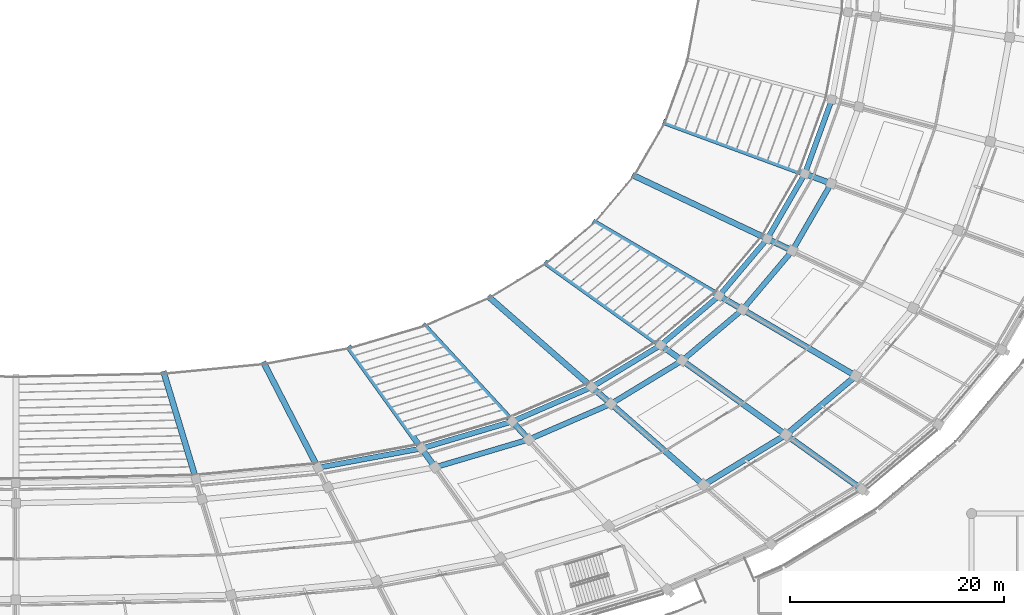
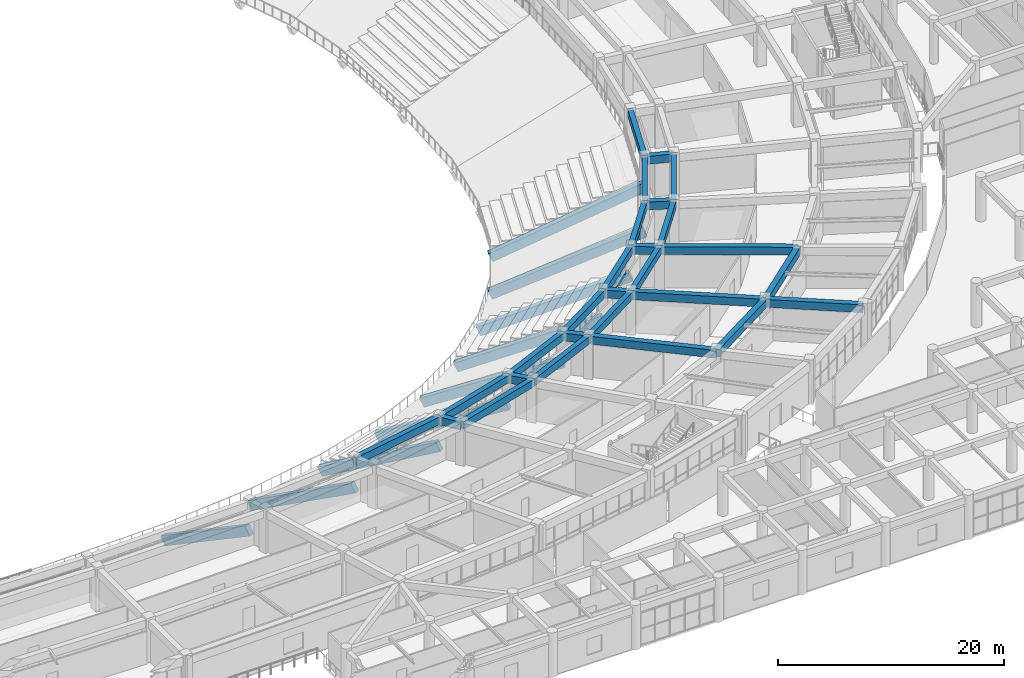
# One storey, part 40 of 152: 36 beams.
"""IFC4 building model written with IfcOpenShell, lengths in metres."""

from ifc_helpers import new_model, si_unit, direction, frame, origin, origin_2d, place, context, subcontext, project, spatial, rectangle, extrude, material, material_profile, profile_set, type_object, element, save


model = new_model("IFC4")

# Units and contexts
model_context = context("Model", 3, precision=1e-05, world=origin(), true_north=direction((0.0, 1.0)))
body_context = subcontext(model_context, "Body", "Model", "MODEL_VIEW")
ifc_project = project(units=[si_unit("LENGTHUNIT", "METRE"), si_unit("AREAUNIT", "SQUARE_METRE"), si_unit("VOLUMEUNIT", "CUBIC_METRE"), si_unit("PLANEANGLEUNIT", "RADIAN"), si_unit("MASSUNIT", "GRAM", prefix="KILO")], contexts=[model_context])

# Site, building, storey
site_placement = place(None, origin())
site = spatial("IfcSite", under=ifc_project, at=site_placement, CompositionType="ELEMENT")
building_placement = place(site_placement, origin())
building = spatial("IfcBuilding", under=site, at=building_placement, Name="Mphavela Belvedere Stadium", CompositionType="ELEMENT")
storey_placement = place(building_placement, frame((0.0, 0.0, 5.39990234375)))
storey = spatial("IfcBuildingStorey", under=building, at=storey_placement, Name="L01", CompositionType="ELEMENT", Elevation=5.39990234375)

# Beams
ifc_material_1 = material(Name="Precast concrete C45/55", Category="concrete")
ifc_material_profile_1 = material_profile(ifc_material_1, rectangle(XDim=0.550048828125, YDim=1.0, at=origin_2d()), Name="PC 550x1000")
ifc_profile_set_1 = profile_set([ifc_material_profile_1], Name="Precast concrete C45/55")
beam_type_1 = type_object("IfcBeamType", Name="BM-RAKER-LOWER", PredefinedType="USERDEFINED", material=ifc_profile_set_1)
beam_1_placement = place(storey_placement, frame((128.873779296875, 41.081298828125, -4.75), z_axis=(0.250007753773, -0.827460196511, 0.502797917899), x_axis=(0.957260966392, 0.289225590538, 0.0)))
element("IfcBeam", 1, at=beam_1_placement, inside=storey, type_object=beam_type_1, Name="Lower tier precast raker beam RK-L-38", ObjectType="RAKER BEAM", PredefinedType="USERDEFINED", context=body_context, shape_type="SweptSolid", body=[
    extrude(rectangle(XDim=0.550048828125, YDim=1.0, at=origin_2d()), origin(), (0.0, 0.0, 1.0), 11.93310546875),
])
beam_2_placement = place(storey_placement, frame((138.258056640625, 41.97607421875, -4.75), z_axis=(0.402030633593, -0.778292840439, 0.482319006648), x_axis=(0.888466560259, 0.458941359329, 0.0)))
element("IfcBeam", 2, at=beam_2_placement, inside=storey, type_object=beam_type_1, Name="Lower tier precast raker beam RK-L-39", ObjectType="RAKER BEAM", PredefinedType="USERDEFINED", context=body_context, shape_type="SweptSolid", body=[
    extrude(rectangle(XDim=0.550048828125, YDim=1.0, at=origin_2d()), origin(), (0.0, 0.0, 1.0), 12.43994140625),
])
beam_3_placement = place(storey_placement, frame((146.2431640625, 43.46337890625, -4.75), z_axis=(0.517134900081, -0.720613830932, 0.461830273789), x_axis=(0.81244596432, 0.583036495479, 0.0)))
element("IfcBeam", 3, at=beam_3_placement, inside=storey, type_object=beam_type_1, Name="Lower tier precast raker beam RK-L-40", ObjectType="RAKER BEAM", PredefinedType="USERDEFINED", context=body_context, shape_type="SweptSolid", body=[
    extrude(rectangle(XDim=0.550048828125, YDim=1.0, at=origin_2d()), origin(), (0.0, 0.0, 1.0), 12.99169921875),
])
beam_4_placement = place(storey_placement, frame((153.229736328125, 45.537109375, -4.75), z_axis=(0.607566883797, -0.65895529212, 0.443441545979), x_axis=(0.735192313072, 0.677858586138, 0.0)))
element("IfcBeam", 4, at=beam_4_placement, inside=storey, type_object=beam_type_1, Name="Lower tier precast raker beam RK-L-41", ObjectType="RAKER BEAM", PredefinedType="USERDEFINED", context=body_context, shape_type="SweptSolid", body=[
    extrude(rectangle(XDim=0.550048828125, YDim=1.0, at=origin_2d()), origin(), (0.0, 0.0, 1.0), 13.530517578125),
])
beam_5_placement = place(storey_placement, frame((159.351806640625, 48.19091796875, -4.75), z_axis=(0.680192771022, -0.595170851122, 0.427912902615), x_axis=(0.65850597174, 0.752575501317, 0.0)))
element("IfcBeam", 5, at=beam_5_placement, inside=storey, type_object=beam_type_1, Name="Lower tier precast raker beam RK-L-42", ObjectType="RAKER BEAM", PredefinedType="USERDEFINED", context=body_context, shape_type="SweptSolid", body=[
    extrude(rectangle(XDim=0.550048828125, YDim=1.0, at=origin_2d()), origin(), (0.0, 0.0, 1.0), 14.021484375),
])
beam_6_placement = place(storey_placement, frame((164.658935546875, 51.419677734375, -4.75), z_axis=(0.739407193346, -0.529785363915, 0.415456941944), x_axis=(0.582429509779, 0.812881212809, 0.0)))
element("IfcBeam", 6, at=beam_6_placement, inside=storey, type_object=beam_type_1, Name="Lower tier precast raker beam RK-L-43", ObjectType="RAKER BEAM", PredefinedType="USERDEFINED", context=body_context, shape_type="SweptSolid", body=[
    extrude(rectangle(XDim=0.550048828125, YDim=1.0, at=origin_2d()), origin(), (0.0, 0.0, 1.0), 14.44189453125),
])
beam_7_placement = place(storey_placement, frame((169.1650390625, 55.22216796875, -4.75), z_axis=(0.788215016964, -0.462441064912, 0.406036141882), x_axis=(0.506032185793, 0.862514595205, 0.0)))
element("IfcBeam", 7, at=beam_7_placement, inside=storey, type_object=beam_type_1, Name="Lower tier precast raker beam RK-L-44", ObjectType="RAKER BEAM", PredefinedType="USERDEFINED", context=body_context, shape_type="SweptSolid", body=[
    extrude(rectangle(XDim=0.550048828125, YDim=1.0, at=origin_2d()), origin(), (0.0, 0.0, 1.0), 14.777099609375),
])
beam_8_placement = place(storey_placement, frame((172.869140625, 59.608642578125, -4.75), z_axis=(0.828590512448, -0.392202760512, 0.399518156443), x_axis=(0.427830199745, 0.903859126295, 0.0)))
element("IfcBeam", 8, at=beam_8_placement, inside=storey, type_object=beam_type_1, Name="Lower tier precast raker beam RK-L-45", ObjectType="RAKER BEAM", PredefinedType="USERDEFINED", context=body_context, shape_type="SweptSolid", body=[
    extrude(rectangle(XDim=0.550048828125, YDim=1.0, at=origin_2d()), origin(), (0.0, 0.0, 1.0), 15.01806640625),
])
beam_9_placement = place(storey_placement, frame((175.763427734375, 64.614501953125, -4.75), z_axis=(0.861755277164, -0.317474379668, 0.395711840276), x_axis=(0.345691546471, 0.938348205464, 0.0)))
element("IfcBeam", 9, at=beam_9_placement, inside=storey, type_object=beam_type_1, Name="Lower tier precast raker beam RK-L-46", ObjectType="RAKER BEAM", PredefinedType="USERDEFINED", context=body_context, shape_type="SweptSolid", body=[
    extrude(rectangle(XDim=0.550048828125, YDim=1.0, at=origin_2d()), origin(), (0.0, 0.0, 1.0), 15.16259765625),
])
ifc_material_2 = material(Name="Concrete C40/50", Category="concrete")
ifc_material_profile_2 = material_profile(ifc_material_2, rectangle(XDim=0.5, YDim=0.800048828125, at=origin_2d()), Name="RC 500x800")
ifc_profile_set_2 = profile_set([ifc_material_profile_2], Name="Concrete C40/50")
beam_type_2 = type_object("IfcBeamType", Name="BM-RC500x800", PredefinedType="BEAM", material=ifc_profile_set_2)
beam_10_placement = place(storey_placement, frame((143.25927734375, 32.294189453125, 4.150146484375), z_axis=(0.983092994202, 0.183106976248, 0.0), x_axis=(-0.183106976248, 0.983092994202, 0.0)))
element("IfcBeam", 10, at=beam_10_placement, inside=storey, type_object=beam_type_2, Name="Circumferential girder L01 R1-39", PredefinedType="BEAM", context=body_context, shape_type="SweptSolid", body=[
    extrude(rectangle(XDim=0.5, YDim=0.800048828125, at=origin_2d()), origin(), (0.0, 0.0, 1.0), 9.869140625),
])
beam_11_placement = place(storey_placement, frame((152.961669921875, 34.101318359375, 4.150146484375), z_axis=(0.958656973737, 0.284564240033, 0.0), x_axis=(-0.284564240033, 0.958656973737, 0.0)))
element("IfcBeam", 11, at=beam_11_placement, inside=storey, type_object=beam_type_2, Name="Circumferential girder L01 R1-40", PredefinedType="BEAM", context=body_context, shape_type="SweptSolid", body=[
    extrude(rectangle(XDim=0.5, YDim=0.800048828125, at=origin_2d()), origin(), (0.0, 0.0, 1.0), 8.854736328125),
])
beam_12_placement = place(storey_placement, frame((154.230224609375, 32.33349609375, 4.150146484375), z_axis=(0.958656419443, 0.284566107363, 0.0), x_axis=(-0.284566107363, 0.958656419443, 0.0)))
element("IfcBeam", 12, at=beam_12_placement, inside=storey, type_object=beam_type_2, Name="Circumferential girder L01 R2-40", PredefinedType="BEAM", context=body_context, shape_type="SweptSolid", body=[
    extrude(rectangle(XDim=0.5, YDim=0.800048828125, at=origin_2d()), origin(), (0.0, 0.0, 1.0), 9.15087890625),
])
beam_13_placement = place(storey_placement, frame((161.450439453125, 36.62109375, 4.150146484375), z_axis=(0.917503251148, 0.397728279273, 0.0), x_axis=(-0.397728279273, 0.917503251148, 0.0)))
element("IfcBeam", 13, at=beam_13_placement, inside=storey, type_object=beam_type_2, Name="Circumferential girder L01 R1-41", PredefinedType="BEAM", context=body_context, shape_type="SweptSolid", body=[
    extrude(rectangle(XDim=0.5, YDim=0.800048828125, at=origin_2d()), origin(), (0.0, 0.0, 1.0), 8.107666015625),
])
beam_14_placement = place(storey_placement, frame((163.002685546875, 34.9375, 4.150146484375), z_axis=(0.917495728928, 0.397745631526, 0.0), x_axis=(-0.397745631526, 0.917495728928, 0.0)))
element("IfcBeam", 14, at=beam_14_placement, inside=storey, type_object=beam_type_2, Name="Circumferential girder L01 R2-41", PredefinedType="BEAM", context=body_context, shape_type="SweptSolid", body=[
    extrude(rectangle(XDim=0.5, YDim=0.800048828125, at=origin_2d()), origin(), (0.0, 0.0, 1.0), 8.37841796875),
])
beam_15_placement = place(storey_placement, frame((168.88916015625, 39.845703125, 4.150146484375), z_axis=(0.854325951403, 0.51973759606, 0.0), x_axis=(-0.51973759606, 0.854325951403, 0.0)))
element("IfcBeam", 15, at=beam_15_placement, inside=storey, type_object=beam_type_2, Name="Circumferential girder L01 R1-42", PredefinedType="BEAM", context=body_context, shape_type="SweptSolid", body=[
    extrude(rectangle(XDim=0.5, YDim=0.800048828125, at=origin_2d()), origin(), (0.0, 0.0, 1.0), 7.5478515625),
])
beam_16_placement = place(storey_placement, frame((170.68994140625, 38.27001953125, 4.150146484375), z_axis=(0.854328477138, 0.519733444326, 0.0), x_axis=(-0.519733444326, 0.854328477138, 0.0)))
element("IfcBeam", 16, at=beam_16_placement, inside=storey, type_object=beam_type_2, Name="Circumferential girder L01 R2-42", PredefinedType="BEAM", context=body_context, shape_type="SweptSolid", body=[
    extrude(rectangle(XDim=0.5, YDim=0.800048828125, at=origin_2d()), origin(), (0.0, 0.0, 1.0), 7.800048828125),
])
beam_17_placement = place(storey_placement, frame((175.33740234375, 43.7685546875, 4.150146484375), z_axis=(0.76425683958, 0.644911996442, 0.0), x_axis=(-0.644911996442, 0.76425683958, 0.0)))
element("IfcBeam", 17, at=beam_17_placement, inside=storey, type_object=beam_type_2, Name="Circumferential girder L01 R1-43", PredefinedType="BEAM", context=body_context, shape_type="SweptSolid", body=[
    extrude(rectangle(XDim=0.5, YDim=0.800048828125, at=origin_2d()), origin(), (0.0, 0.0, 1.0), 7.1640625),
])
beam_18_placement = place(storey_placement, frame((177.353759765625, 42.323974609375, 4.150146484375), z_axis=(0.764257451296, 0.644911271523, 0.0), x_axis=(-0.644911271523, 0.764257451296, 0.0)))
element("IfcBeam", 18, at=beam_18_placement, inside=storey, type_object=beam_type_2, Name="Circumferential girder L01 R2-43", PredefinedType="BEAM", context=body_context, shape_type="SweptSolid", body=[
    extrude(rectangle(XDim=0.5, YDim=0.800048828125, at=origin_2d()), origin(), (0.0, 0.0, 1.0), 7.4033203125),
])
beam_19_placement = place(storey_placement, frame((180.8125, 48.388671875, 4.150146484375), z_axis=(0.645159025586, 0.764048317651, 0.0), x_axis=(-0.764048317651, 0.645159025586, 0.0)))
element("IfcBeam", 19, at=beam_19_placement, inside=storey, type_object=beam_type_2, Name="Circumferential girder L01 R1-44", PredefinedType="BEAM", context=body_context, shape_type="SweptSolid", body=[
    extrude(rectangle(XDim=0.5, YDim=0.800048828125, at=origin_2d()), origin(), (0.0, 0.0, 1.0), 6.975830078125),
])
beam_20_placement = place(storey_placement, frame((183.01171875, 47.098388671875, 4.150146484375), z_axis=(0.645167637984, 0.764041045297, 0.0), x_axis=(-0.764041045297, 0.645167637984, 0.0)))
element("IfcBeam", 20, at=beam_20_placement, inside=storey, type_object=beam_type_2, Name="Circumferential girder L01 R2-44", PredefinedType="BEAM", context=body_context, shape_type="SweptSolid", body=[
    extrude(rectangle(XDim=0.5, YDim=0.800048828125, at=origin_2d()), origin(), (0.0, 0.0, 1.0), 7.208740234375),
])
beam_21_placement = place(storey_placement, frame((185.31298828125, 53.718505859375, 4.150146484375), z_axis=(0.500559513075, 0.86570212768, 0.0), x_axis=(-0.86570212768, 0.500559513075, 0.0)))
element("IfcBeam", 21, at=beam_21_placement, inside=storey, type_object=beam_type_2, Name="Circumferential girder L01 R1-45", PredefinedType="BEAM", context=body_context, shape_type="SweptSolid", body=[
    extrude(rectangle(XDim=0.5, YDim=0.800048828125, at=origin_2d()), origin(), (0.0, 0.0, 1.0), 7.02587890625),
])
beam_22_placement = place(storey_placement, frame((187.66259765625, 52.606201171875, 4.150146484375), z_axis=(0.500568314135, 0.86569703874, 0.0), x_axis=(-0.86569703874, 0.500568314135, 0.0)))
element("IfcBeam", 22, at=beam_22_placement, inside=storey, type_object=beam_type_2, Name="Circumferential girder L01 R2-45", PredefinedType="BEAM", context=body_context, shape_type="SweptSolid", body=[
    extrude(rectangle(XDim=0.5, YDim=0.800048828125, at=origin_2d()), origin(), (0.0, 0.0, 1.0), 7.2607421875),
])
beam_23_placement = place(storey_placement, frame((188.829833984375, 59.80078125, 4.150146484375), z_axis=(0.341037858277, 0.940049562109, 0.0), x_axis=(-0.940049562109, 0.341037858277, 0.0)))
element("IfcBeam", 23, at=beam_23_placement, inside=storey, type_object=beam_type_2, Name="Circumferential girder L01 R1-46", PredefinedType="BEAM", context=body_context, shape_type="SweptSolid", body=[
    extrude(rectangle(XDim=0.5, YDim=0.800048828125, at=origin_2d()), origin(), (0.0, 0.0, 1.0), 7.39501953125),
])
ifc_material_3 = material(Name="Concrete C40/50", Category="concrete")
ifc_material_profile_3 = material_profile(ifc_material_3, rectangle(XDim=0.550048828125, YDim=0.85009765625, at=origin_2d()), Name="RC 550x850")
ifc_profile_set_3 = profile_set([ifc_material_profile_3], Name="Concrete C40/50")
beam_type_3 = type_object("IfcBeamType", Name="BM-RC550x850", PredefinedType="BEAM", material=ifc_profile_set_3)
beam_24_placement = place(storey_placement, frame((152.961669921875, 34.101318359375, 4.125), z_axis=(0.583009326667, -0.812465460816, 0.0), x_axis=(0.812465460816, 0.583009326667, 0.0)))
element("IfcBeam", 24, at=beam_24_placement, inside=storey, type_object=beam_type_3, Name="Radial concourse girder L01 R1R2-40", PredefinedType="BEAM", context=body_context, shape_type="SweptSolid", body=[
    extrude(rectangle(XDim=0.550048828125, YDim=0.85009765625, at=origin_2d()), origin(), (0.0, 0.0, 1.0), 2.17578125),
])
beam_25_placement = place(storey_placement, frame((161.450439453125, 36.62109375, 4.125), z_axis=(0.677846038514, -0.735203881975, 0.0), x_axis=(0.735203881975, 0.677846038514, 0.0)))
element("IfcBeam", 25, at=beam_25_placement, inside=storey, type_object=beam_type_3, Name="Radial concourse girder L01 R1R2-41", PredefinedType="BEAM", context=body_context, shape_type="SweptSolid", body=[
    extrude(rectangle(XDim=0.550048828125, YDim=0.85009765625, at=origin_2d()), origin(), (0.0, 0.0, 1.0), 2.2900390625),
])
beam_26_placement = place(storey_placement, frame((179.360107421875, 30.68310546875, 4.125), z_axis=(0.854315160357, 0.519755333579, 0.0), x_axis=(-0.519755333579, 0.854315160357, 0.0)))
element("IfcBeam", 26, at=beam_26_placement, inside=storey, type_object=beam_type_3, Name="Circumferential girder L01 R3-42", PredefinedType="BEAM", context=body_context, shape_type="SweptSolid", body=[
    extrude(rectangle(XDim=0.550048828125, YDim=0.85009765625, at=origin_2d()), origin(), (0.0, 0.0, 1.0), 9.014404296875),
])
beam_27_placement = place(storey_placement, frame((168.88916015625, 39.845703125, 4.125), z_axis=(0.752576694707, -0.658504607869, 0.0), x_axis=(0.658504607869, 0.752576694707, 0.0)))
element("IfcBeam", 27, at=beam_27_placement, inside=storey, type_object=beam_type_3, Name="Radial concourse girder L01 R1R2-42", PredefinedType="BEAM", context=body_context, shape_type="SweptSolid", body=[
    extrude(rectangle(XDim=0.550048828125, YDim=0.85009765625, at=origin_2d()), origin(), (0.0, 0.0, 1.0), 2.392822265625),
])
beam_28_placement = place(storey_placement, frame((170.68994140625, 38.27001953125, 4.125), z_axis=(0.752554378136, -0.658530111648, 0.0), x_axis=(0.658530111648, 0.752554378136, 0.0)))
element("IfcBeam", 28, at=beam_28_placement, inside=storey, type_object=beam_type_3, Name="Radial concourse girder L01 R2R3-42", PredefinedType="BEAM", context=body_context, shape_type="SweptSolid", body=[
    extrude(rectangle(XDim=0.550048828125, YDim=0.85009765625, at=origin_2d()), origin(), (0.0, 0.0, 1.0), 11.52099609375),
])
beam_29_placement = place(storey_placement, frame((187.061279296875, 35.368408203125, 4.125), z_axis=(0.764263355392, 0.644904274761, 0.0), x_axis=(-0.644904274761, 0.764263355392, 0.0)))
element("IfcBeam", 29, at=beam_29_placement, inside=storey, type_object=beam_type_3, Name="Circumferential girder L01 R3-43", PredefinedType="BEAM", context=body_context, shape_type="SweptSolid", body=[
    extrude(rectangle(XDim=0.550048828125, YDim=0.85009765625, at=origin_2d()), origin(), (0.0, 0.0, 1.0), 8.55615234375),
])
beam_30_placement = place(storey_placement, frame((175.33740234375, 43.7685546875, 4.125), z_axis=(0.81290799415, -0.582392129966, 0.0), x_axis=(0.582392129966, 0.81290799415, 0.0)))
element("IfcBeam", 30, at=beam_30_placement, inside=storey, type_object=beam_type_3, Name="Radial concourse girder L01 R1R2-43", PredefinedType="BEAM", context=body_context, shape_type="SweptSolid", body=[
    extrude(rectangle(XDim=0.550048828125, YDim=0.85009765625, at=origin_2d()), origin(), (0.0, 0.0, 1.0), 2.48046875),
])
beam_31_placement = place(storey_placement, frame((177.353759765625, 42.323974609375, 4.125), z_axis=(0.812876169184, -0.582436548967, 0.0), x_axis=(0.582436548967, 0.812876169184, 0.0)))
element("IfcBeam", 31, at=beam_31_placement, inside=storey, type_object=beam_type_3, Name="Radial concourse girder L01 R2R3-43", PredefinedType="BEAM", context=body_context, shape_type="SweptSolid", body=[
    extrude(rectangle(XDim=0.550048828125, YDim=0.85009765625, at=origin_2d()), origin(), (0.0, 0.0, 1.0), 11.942138671875),
])
beam_32_placement = place(storey_placement, frame((187.061279296875, 35.368408203125, 4.125), z_axis=(0.812882024932, -0.582428376319, 0.0), x_axis=(0.582428376319, 0.812882024932, 0.0)))
element("IfcBeam", 32, at=beam_32_placement, inside=storey, type_object=beam_type_3, Name="Radial concourse girder L01 R3R4-43", PredefinedType="BEAM", context=body_context, shape_type="SweptSolid", body=[
    extrude(rectangle(XDim=0.550048828125, YDim=0.85009765625, at=origin_2d()), origin(), (0.0, 0.0, 1.0), 8.727294921875),
])
beam_33_placement = place(storey_placement, frame((180.8125, 48.388671875, 4.125), z_axis=(0.862512089915, -0.50603645595, 0.0), x_axis=(0.50603645595, 0.862512089915, 0.0)))
element("IfcBeam", 33, at=beam_33_placement, inside=storey, type_object=beam_type_3, Name="Radial concourse girder L01 R1R2-44", PredefinedType="BEAM", context=body_context, shape_type="SweptSolid", body=[
    extrude(rectangle(XDim=0.550048828125, YDim=0.85009765625, at=origin_2d()), origin(), (0.0, 0.0, 1.0), 2.5498046875),
])
beam_34_placement = place(storey_placement, frame((183.01171875, 47.098388671875, 4.125), z_axis=(0.862519003522, -0.506024671892, 0.0), x_axis=(0.506024671892, 0.862519003522, 0.0)))
element("IfcBeam", 34, at=beam_34_placement, inside=storey, type_object=beam_type_3, Name="Radial concourse girder L01 R2R3-44", PredefinedType="BEAM", context=body_context, shape_type="SweptSolid", body=[
    extrude(rectangle(XDim=0.550048828125, YDim=0.85009765625, at=origin_2d()), origin(), (0.0, 0.0, 1.0), 12.2763671875),
])
beam_35_placement = place(storey_placement, frame((185.31298828125, 53.718505859375, 4.125), z_axis=(0.903837253846, -0.427876405707, 0.0), x_axis=(0.427876405707, 0.903837253846, 0.0)))
element("IfcBeam", 35, at=beam_35_placement, inside=storey, type_object=beam_type_3, Name="Radial concourse girder L01 R1R2-45", PredefinedType="BEAM", context=body_context, shape_type="SweptSolid", body=[
    extrude(rectangle(XDim=0.550048828125, YDim=0.85009765625, at=origin_2d()), origin(), (0.0, 0.0, 1.0), 2.599609375),
])
beam_36_placement = place(storey_placement, frame((188.829833984375, 59.80078125, 4.125), z_axis=(0.938351042866, -0.345683844507, 0.0), x_axis=(0.345683844507, 0.938351042866, 0.0)))
element("IfcBeam", 36, at=beam_36_placement, inside=storey, type_object=beam_type_3, Name="Radial concourse girder L01 R1R2-46", PredefinedType="BEAM", context=body_context, shape_type="SweptSolid", body=[
    extrude(rectangle(XDim=0.550048828125, YDim=0.85009765625, at=origin_2d()), origin(), (0.0, 0.0, 1.0), 2.62939453125),
])

save(model, "model.ifc")
